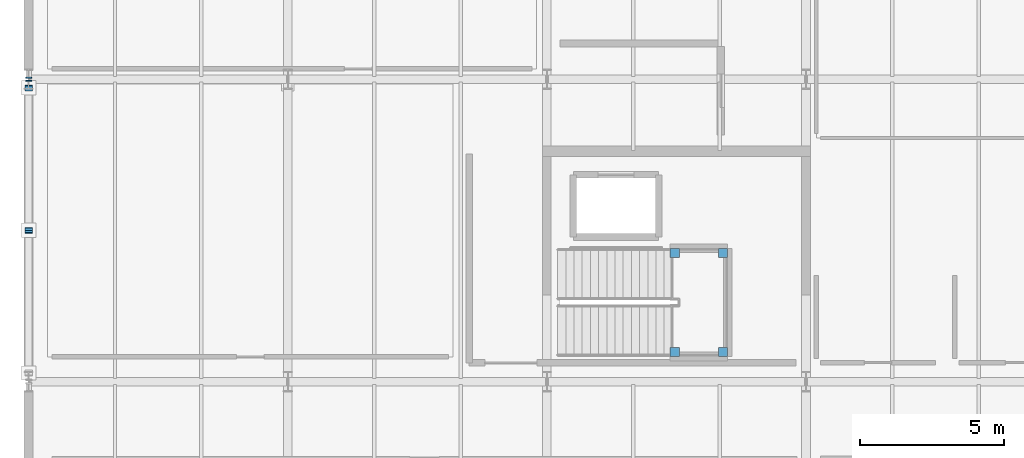
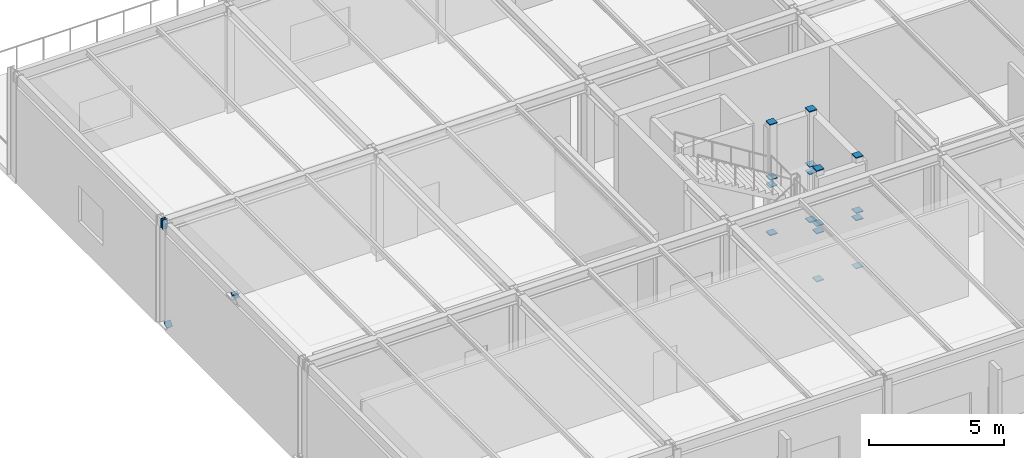
# One storey, part 98 of 143: 21 discrete accessories.
"""IFC4 building model written with IfcOpenShell, lengths in metres."""

from ifc_helpers import new_model, si_unit, direction, frame, origin, origin_2d, place, context, subcontext, project, spatial, rectangle, extrude, material, element, save


model = new_model("IFC4")

# Units and contexts
model_context = context("Model", 3, precision=1e-05, world=origin(), true_north=direction((0.0, 1.0)))
body_context = subcontext(model_context, "Body", "Model", "MODEL_VIEW")
ifc_project = project(units=[si_unit("LENGTHUNIT", "METRE"), si_unit("AREAUNIT", "SQUARE_METRE"), si_unit("VOLUMEUNIT", "CUBIC_METRE"), si_unit("PLANEANGLEUNIT", "RADIAN"), si_unit("MASSUNIT", "GRAM", prefix="KILO")], contexts=[model_context])

# Site, building, storey
site_placement = place(None, origin())
site = spatial("IfcSite", under=ifc_project, at=site_placement, CompositionType="ELEMENT")
building_placement = place(site_placement, origin())
building = spatial("IfcBuilding", under=site, at=building_placement, Name="Marlcrest Central Station", CompositionType="ELEMENT")
storey_placement = place(building_placement, frame((0.0, 0.0, 4.800048828125)))
storey = spatial("IfcBuildingStorey", under=building, at=storey_placement, Name="L01", CompositionType="ELEMENT", Elevation=4.800048828125)

# Discrete accessories
ifc_material = material(Name="Steel S355", Category="steel")
for number, where, z_axis, x_axis, name in (
    (1, (0.0, 120.925048828125, 4.619873046875), (0.0, 1.0, 0.0), (-1.0, 0.0, 0.0), "endcap-bm-SP-01-L01-00265-e"),
    (2, (0.0, 121.03515625, 4.619873046875), (0.0, 1.0, 0.0), (-1.0, 0.0, 0.0), "endcap-bm-SP-01-L01-00266-s"),
):
    element("IfcDiscreteAccessory", number, at=place(storey_placement, frame(where, z_axis=z_axis, x_axis=x_axis)), inside=storey, material=ifc_material, Name=name, ObjectType="END_CAP_PLATE", PredefinedType="BRACKET", context=body_context, shape_type="SweptSolid", body=[
        extrude(rectangle(XDim=0.216064453125, YDim=0.416015625, at=origin_2d()), origin(), (0.0, 0.0, 1.0), 0.0400390625),
    ])
for number, where, z_axis, x_axis, name in (
    (3, (0.0, 115.731201171875, 4.5537109375), (0.0, 0.753416289705, 0.65754383459), (-1.0, 0.0, 0.0), "endcap-mem-BF-02-L01-00003-e"),
    (4, (0.0, 120.711181640625, 0.240234375), (0.0, -0.753416289705, 0.65754383459), (1.0, 0.0, 0.0), "endcap-mem-BF-02-L01-00004-s"),
    (5, (0.0, 115.768798828125, 4.5537109375), (0.0, -0.753416289705, 0.65754383459), (1.0, 0.0, 0.0), "endcap-mem-BF-02-L01-00004-e"),
):
    element("IfcDiscreteAccessory", number, at=place(storey_placement, frame(where, z_axis=z_axis, x_axis=x_axis)), inside=storey, material=ifc_material, Name=name, ObjectType="END_CAP_PLATE", PredefinedType="BRACKET", context=body_context, shape_type="SweptSolid", body=[
        extrude(rectangle(XDim=0.26611328125, YDim=0.26611328125, at=origin_2d()), origin(), (0.0, 0.0, 1.0), 0.0400390625),
    ])
for number, where, z_axis, x_axis, name in (
    (6, (22.43994140625, 111.530029296875, -0.014892578125), (0.0, 0.0, 1.0), (1.0, 0.0, 0.0), "endcap-htcol-lo-0046-0-s"),
    (7, (22.43994140625, 111.530029296875, 2.155029296875), (0.0, 0.0, 1.0), (1.0, 0.0, 0.0), "endcap-htcol-lo-0046-0-e"),
    (8, (22.43994140625, 111.530029296875, 2.485107421875), (0.0, 0.0, 1.0), (1.0, 0.0, 0.0), "endcap-htcol-hi-0046-0-s"),
    (9, (22.43994140625, 111.530029296875, 4.97509765625), (0.0, 0.0, 1.0), (1.0, 0.0, 0.0), "endcap-htcol-hi-0046-0-e"),
    (10, (24.1201171875, 111.530029296875, -0.014892578125), (0.0, 0.0, 1.0), (1.0, 0.0, 0.0), "endcap-htcol-lo-0046-1-s"),
    (11, (24.1201171875, 111.530029296875, 2.155029296875), (0.0, 0.0, 1.0), (1.0, 0.0, 0.0), "endcap-htcol-lo-0046-1-e"),
    (12, (24.1201171875, 111.530029296875, 2.485107421875), (0.0, 0.0, 1.0), (1.0, 0.0, 0.0), "endcap-htcol-hi-0046-1-s"),
    (13, (24.1201171875, 111.530029296875, 4.97509765625), (0.0, 0.0, 1.0), (1.0, 0.0, 0.0), "endcap-htcol-hi-0046-1-e"),
    (14, (24.1201171875, 114.969970703125, -0.014892578125), (0.0, 0.0, 1.0), (1.0, 0.0, 0.0), "endcap-htcol-lo-0046-2-s"),
    (15, (24.1201171875, 114.969970703125, 2.155029296875), (0.0, 0.0, 1.0), (1.0, 0.0, 0.0), "endcap-htcol-lo-0046-2-e"),
    (16, (24.1201171875, 114.969970703125, 2.485107421875), (0.0, 0.0, 1.0), (1.0, 0.0, 0.0), "endcap-htcol-hi-0046-2-s"),
    (17, (24.1201171875, 114.969970703125, 4.97509765625), (0.0, 0.0, 1.0), (1.0, 0.0, 0.0), "endcap-htcol-hi-0046-2-e"),
    (18, (22.43994140625, 114.969970703125, -0.014892578125), (0.0, 0.0, 1.0), (1.0, 0.0, 0.0), "endcap-htcol-lo-0046-3-s"),
    (19, (22.43994140625, 114.969970703125, 2.155029296875), (0.0, 0.0, 1.0), (1.0, 0.0, 0.0), "endcap-htcol-lo-0046-3-e"),
    (20, (22.43994140625, 114.969970703125, 2.485107421875), (0.0, 0.0, 1.0), (1.0, 0.0, 0.0), "endcap-htcol-hi-0046-3-s"),
    (21, (22.43994140625, 114.969970703125, 4.97509765625), (0.0, 0.0, 1.0), (1.0, 0.0, 0.0), "endcap-htcol-hi-0046-3-e"),
):
    element("IfcDiscreteAccessory", number, at=place(storey_placement, frame(where, z_axis=z_axis, x_axis=x_axis)), inside=storey, material=ifc_material, Name=name, ObjectType="END_CAP_PLATE", PredefinedType="BRACKET", context=body_context, shape_type="SweptSolid", body=[
        extrude(rectangle(XDim=0.31591796875, YDim=0.31591796875, at=origin_2d()), origin(), (0.0, 0.0, 1.0), 0.0400390625),
    ])

save(model, "model.ifc")
